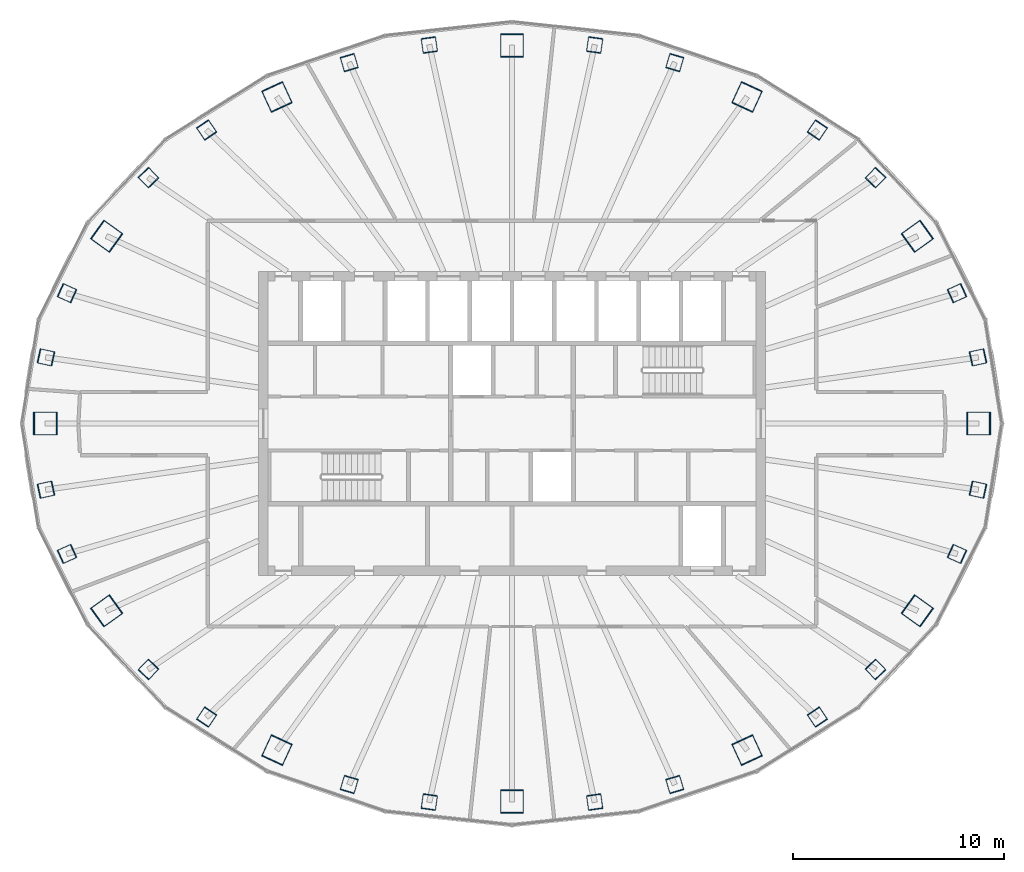
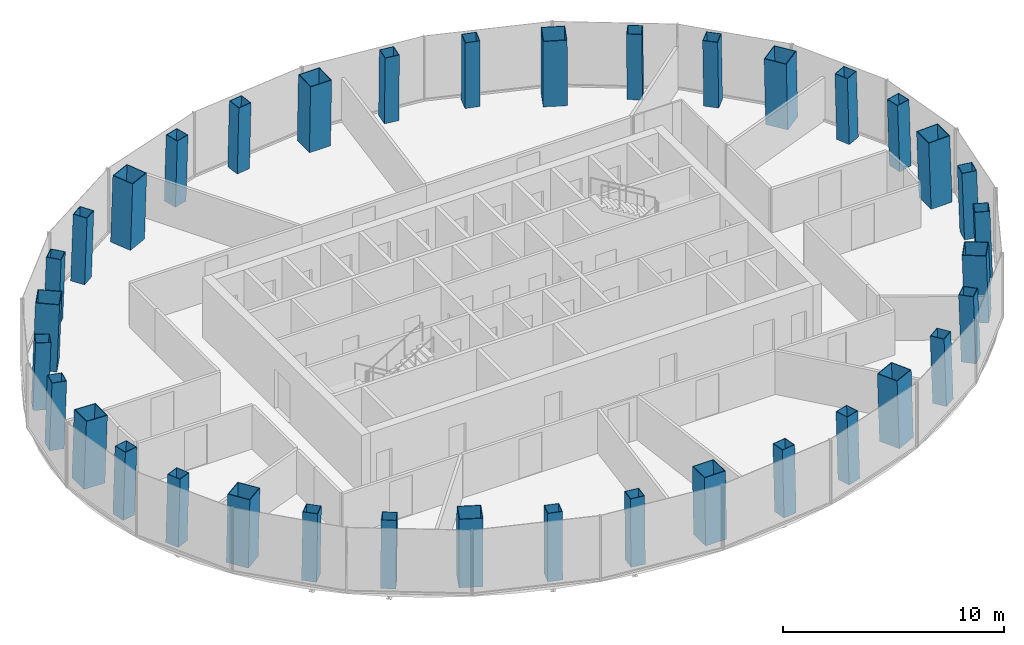
# One storey, part 1 of 11: 36 columns.
"""IFC4 building model written with IfcOpenShell, lengths in metres."""

from ifc_helpers import new_model, si_unit, direction, frame, origin, origin_2d, place, context, subcontext, project, spatial, hollow_rectangle, extrude, material, material_profile, profile_set, type_object, element, save


model = new_model("IFC4")

# Units and contexts
model_context = context("Model", 3, precision=1e-05, world=origin(), true_north=direction((0.0, 1.0)))
body_context = subcontext(model_context, "Body", "Model", "MODEL_VIEW")
ifc_project = project(units=[si_unit("LENGTHUNIT", "METRE"), si_unit("AREAUNIT", "SQUARE_METRE"), si_unit("VOLUMEUNIT", "CUBIC_METRE"), si_unit("PLANEANGLEUNIT", "RADIAN"), si_unit("MASSUNIT", "GRAM", prefix="KILO")], contexts=[model_context])

# Site, building, storey
site_placement = place(None, origin())
site = spatial("IfcSite", under=ifc_project, at=site_placement, CompositionType="ELEMENT")
building_placement = place(site_placement, origin())
building = spatial("IfcBuilding", under=site, at=building_placement, Name="Siaravel Broadcast Tower", CompositionType="ELEMENT")
storey_placement = place(building_placement, frame((0.0, 0.0, 183.0)))
storey = spatial("IfcBuildingStorey", under=building, at=storey_placement, Name="L44", CompositionType="ELEMENT", Elevation=183.0)

# Columns
ifc_material = material(Name="Concrete C60/75", Category="concrete")
ifc_material_profile_1 = material_profile(ifc_material, hollow_rectangle(XDim=1.10009765625, YDim=1.10009765625, WallThickness=0.031982421875, at=origin_2d()))
ifc_profile_set_1 = profile_set([ifc_material_profile_1], Name="Concrete C60/75")
column_type_1 = type_object("IfcColumnType", Name="COL-CFT BOX 1100x1100x32", PredefinedType="COLUMN", material=ifc_profile_set_1)
column_1_placement = place(storey_placement, frame((22.1083984375, 0.0, 0.0), z_axis=(-0.034555398, 0.0, 0.999402784), x_axis=(0.0, -1.0, 0.0)))
element("IfcColumn", 1, at=column_1_placement, inside=storey, type_object=column_type_1, Name="Megacolumn MC01", PredefinedType="COLUMN", context=body_context, shape_type="SweptSolid", body=[
    extrude(hollow_rectangle(XDim=1.10009765625, YDim=1.10009765625, WallThickness=0.031982421875, at=origin_2d()), origin(), (0.0, 0.0, 1.0), 3.7021484375),
])
column_2_placement = place(storey_placement, frame((19.2001953125, 8.87158203125, 0.0), z_axis=(-0.030006556, -0.014178922, 0.999449131), x_axis=(0.583040674, -0.812420964, 0.005979083)))
element("IfcColumn", 2, at=column_2_placement, inside=storey, type_object=column_type_1, Name="Megacolumn MC02", PredefinedType="COLUMN", context=body_context, shape_type="SweptSolid", body=[
    extrude(hollow_rectangle(XDim=1.10009765625, YDim=1.10009765625, WallThickness=0.031982421875, at=origin_2d()), origin(), (0.0, 0.0, 1.0), 3.701904296875),
])
column_3_placement = place(storey_placement, frame((11.134033203125, 15.468994140625, 0.0), z_axis=(-0.017280237, -0.024535299, 0.999549605), x_axis=(0.90830012, -0.418283813, 0.005435371)))
element("IfcColumn", 3, at=column_3_placement, inside=storey, type_object=column_type_1, Name="Megacolumn MC03", PredefinedType="COLUMN", context=body_context, shape_type="SweptSolid", body=[
    extrude(hollow_rectangle(XDim=1.10009765625, YDim=1.10009765625, WallThickness=0.031982421875, at=origin_2d()), origin(), (0.0, 0.0, 1.0), 3.70166015625),
])
column_4_placement = place(storey_placement, frame((0.0, 17.910400390625, 0.0), z_axis=(0.0, -0.02836206, 0.999597716), x_axis=(1.0, 0.0, 0.0)))
element("IfcColumn", 4, at=column_4_placement, inside=storey, type_object=column_type_1, Name="Megacolumn MC04", PredefinedType="COLUMN", context=body_context, shape_type="SweptSolid", body=[
    extrude(hollow_rectangle(XDim=1.10009765625, YDim=1.10009765625, WallThickness=0.031982421875, at=origin_2d()), origin(), (0.0, 0.0, 1.0), 3.701416015625),
])
column_5_placement = place(storey_placement, frame((-11.134033203125, 15.468994140625, 0.0), z_axis=(0.017280237, -0.024535299, 0.999549605), x_axis=(0.90830012, 0.418283813, -0.005435371)))
element("IfcColumn", 5, at=column_5_placement, inside=storey, type_object=column_type_1, Name="Megacolumn MC05", PredefinedType="COLUMN", context=body_context, shape_type="SweptSolid", body=[
    extrude(hollow_rectangle(XDim=1.10009765625, YDim=1.10009765625, WallThickness=0.031982421875, at=origin_2d()), origin(), (0.0, 0.0, 1.0), 3.70166015625),
])
column_6_placement = place(storey_placement, frame((-19.2001953125, 8.87158203125, 0.0), z_axis=(0.030006556, -0.014178922, 0.999449131), x_axis=(0.583040674, 0.812420964, -0.005979083)))
element("IfcColumn", 6, at=column_6_placement, inside=storey, type_object=column_type_1, Name="Megacolumn MC06", PredefinedType="COLUMN", context=body_context, shape_type="SweptSolid", body=[
    extrude(hollow_rectangle(XDim=1.10009765625, YDim=1.10009765625, WallThickness=0.031982421875, at=origin_2d()), origin(), (0.0, 0.0, 1.0), 3.701904296875),
])
column_7_placement = place(storey_placement, frame((-22.1083984375, 0.0, 0.0), z_axis=(0.034555398, 0.0, 0.999402784), x_axis=(0.0, 1.0, 0.0)))
element("IfcColumn", 7, at=column_7_placement, inside=storey, type_object=column_type_1, Name="Megacolumn MC07", PredefinedType="COLUMN", context=body_context, shape_type="SweptSolid", body=[
    extrude(hollow_rectangle(XDim=1.10009765625, YDim=1.10009765625, WallThickness=0.031982421875, at=origin_2d()), origin(), (0.0, 0.0, 1.0), 3.7021484375),
])
column_8_placement = place(storey_placement, frame((-19.2001953125, -8.87158203125, 0.0), z_axis=(0.030006556, 0.014178922, 0.999449131), x_axis=(-0.583040674, 0.812420964, 0.005979083)))
element("IfcColumn", 8, at=column_8_placement, inside=storey, type_object=column_type_1, Name="Megacolumn MC08", PredefinedType="COLUMN", context=body_context, shape_type="SweptSolid", body=[
    extrude(hollow_rectangle(XDim=1.10009765625, YDim=1.10009765625, WallThickness=0.031982421875, at=origin_2d()), origin(), (0.0, 0.0, 1.0), 3.701904296875),
])
column_9_placement = place(storey_placement, frame((-11.134033203125, -15.468994140625, 0.0), z_axis=(0.017280237, 0.024535299, 0.999549605), x_axis=(-0.90830012, 0.418283813, 0.005435371)))
element("IfcColumn", 9, at=column_9_placement, inside=storey, type_object=column_type_1, Name="Megacolumn MC09", PredefinedType="COLUMN", context=body_context, shape_type="SweptSolid", body=[
    extrude(hollow_rectangle(XDim=1.10009765625, YDim=1.10009765625, WallThickness=0.031982421875, at=origin_2d()), origin(), (0.0, 0.0, 1.0), 3.70166015625),
])
column_10_placement = place(storey_placement, frame((0.0, -17.910400390625, 0.0), z_axis=(0.0, 0.02836206, 0.999597716), x_axis=(-1.0, 0.0, 0.0)))
element("IfcColumn", 10, at=column_10_placement, inside=storey, type_object=column_type_1, Name="Megacolumn MC10", PredefinedType="COLUMN", context=body_context, shape_type="SweptSolid", body=[
    extrude(hollow_rectangle(XDim=1.10009765625, YDim=1.10009765625, WallThickness=0.031982421875, at=origin_2d()), origin(), (0.0, 0.0, 1.0), 3.701416015625),
])
column_11_placement = place(storey_placement, frame((11.134033203125, -15.468994140625, 0.0), z_axis=(-0.017280237, 0.024535299, 0.999549605), x_axis=(-0.90830012, -0.418283813, -0.005435371)))
element("IfcColumn", 11, at=column_11_placement, inside=storey, type_object=column_type_1, Name="Megacolumn MC11", PredefinedType="COLUMN", context=body_context, shape_type="SweptSolid", body=[
    extrude(hollow_rectangle(XDim=1.10009765625, YDim=1.10009765625, WallThickness=0.031982421875, at=origin_2d()), origin(), (0.0, 0.0, 1.0), 3.70166015625),
])
column_12_placement = place(storey_placement, frame((19.2001953125, -8.87158203125, 0.0), z_axis=(-0.030006556, 0.014178922, 0.999449131), x_axis=(-0.583040674, -0.812420964, -0.005979083)))
element("IfcColumn", 12, at=column_12_placement, inside=storey, type_object=column_type_1, Name="Megacolumn MC12", PredefinedType="COLUMN", context=body_context, shape_type="SweptSolid", body=[
    extrude(hollow_rectangle(XDim=1.10009765625, YDim=1.10009765625, WallThickness=0.031982421875, at=origin_2d()), origin(), (0.0, 0.0, 1.0), 3.701904296875),
])
ifc_material_profile_2 = material_profile(ifc_material, hollow_rectangle(XDim=0.699951171875, YDim=0.699951171875, WallThickness=0.02490234375, at=origin_2d()))
ifc_profile_set_2 = profile_set([ifc_material_profile_2], Name="Concrete C60/75")
column_type_2 = type_object("IfcColumnType", Name="COL-CFT BOX 700x700x25", PredefinedType="COLUMN", material=ifc_profile_set_2)
for number, where, z_axis, x_axis, name in (
    (13, (22.07373046875, 3.1328125, 0.0), (-0.034028034, -0.004945935, 0.99940864), (0.21368729, -0.976899065, 0.002441123), "Perimeter column C01"),
    (14, (21.077880859375, 6.177001953125, 0.0), (-0.032511791, -0.009694185, 0.999424337), (0.410283377, -0.911946978, 0.004501056), "Perimeter column C02"),
):
    element("IfcColumn", number, at=place(storey_placement, frame(where, z_axis=z_axis, x_axis=x_axis)), inside=storey, type_object=column_type_2, Name=name, PredefinedType="COLUMN", context=body_context, shape_type="SweptSolid", body=[
        extrude(hollow_rectangle(XDim=0.699951171875, YDim=0.699951171875, WallThickness=0.02490234375, at=origin_2d()), origin(), (0.0, 0.0, 1.0), 3.7021484375),
    ])
column_13_placement = place(storey_placement, frame((17.219970703125, 11.647216796875, 0.0), z_axis=(-0.026512147, -0.01826832, 0.999481553), x_axis=(0.72150473, -0.692379152, 0.006483397)))
element("IfcColumn", 15, at=column_13_placement, inside=storey, type_object=column_type_2, Name="Perimeter column C03", PredefinedType="COLUMN", context=body_context, shape_type="SweptSolid", body=[
    extrude(hollow_rectangle(XDim=0.699951171875, YDim=0.699951171875, WallThickness=0.02490234375, at=origin_2d()), origin(), (0.0, 0.0, 1.0), 3.701904296875),
])
column_14_placement = place(storey_placement, frame((14.465087890625, 13.903564453125, 0.0), z_axis=(-0.022226156, -0.021698532, 0.999517469), x_axis=(0.828428784, -0.560059391, 0.006263343)))
element("IfcColumn", 16, at=column_14_placement, inside=storey, type_object=column_type_2, Name="Perimeter column C04", PredefinedType="COLUMN", context=body_context, shape_type="SweptSolid", body=[
    extrude(hollow_rectangle(XDim=0.699951171875, YDim=0.699951171875, WallThickness=0.02490234375, at=origin_2d()), origin(), (0.0, 0.0, 1.0), 3.70166015625),
])
for number, where, z_axis, x_axis, name in (
    (17, (7.709228515625, 17.097412109375, 0.0), (-0.011872213, -0.026646524, 0.999574416), (0.959560942, -0.281474047, 0.003893464), "Perimeter column C05"),
    (18, (3.915771484375, 17.9296875, 0.0), (-0.006002173, -0.027900212, 0.999592693), (0.990164538, -0.139892892, 0.002040929), "Perimeter column C06"),
    (19, (-3.915771484375, 17.9296875, 0.0), (0.006002173, -0.027900212, 0.999592693), (0.990164538, 0.139892892, -0.002040929), "Perimeter column C07"),
    (20, (-7.709228515625, 17.097412109375, 0.0), (0.011872213, -0.026646524, 0.999574416), (0.959560942, 0.281474047, -0.003893464), "Perimeter column C08"),
):
    element("IfcColumn", number, at=place(storey_placement, frame(where, z_axis=z_axis, x_axis=x_axis)), inside=storey, type_object=column_type_2, Name=name, PredefinedType="COLUMN", context=body_context, shape_type="SweptSolid", body=[
        extrude(hollow_rectangle(XDim=0.699951171875, YDim=0.699951171875, WallThickness=0.02490234375, at=origin_2d()), origin(), (0.0, 0.0, 1.0), 3.701416015625),
    ])
column_15_placement = place(storey_placement, frame((-14.465087890625, 13.903564453125, 0.0), z_axis=(0.022226156, -0.021698532, 0.999517469), x_axis=(0.828428784, 0.560059391, -0.006263343)))
element("IfcColumn", 21, at=column_15_placement, inside=storey, type_object=column_type_2, Name="Perimeter column C09", PredefinedType="COLUMN", context=body_context, shape_type="SweptSolid", body=[
    extrude(hollow_rectangle(XDim=0.699951171875, YDim=0.699951171875, WallThickness=0.02490234375, at=origin_2d()), origin(), (0.0, 0.0, 1.0), 3.70166015625),
])
column_16_placement = place(storey_placement, frame((-17.219970703125, 11.647216796875, 0.0), z_axis=(0.026512147, -0.01826832, 0.999481553), x_axis=(0.72150473, 0.692379152, -0.006483397)))
element("IfcColumn", 22, at=column_16_placement, inside=storey, type_object=column_type_2, Name="Perimeter column C10", PredefinedType="COLUMN", context=body_context, shape_type="SweptSolid", body=[
    extrude(hollow_rectangle(XDim=0.699951171875, YDim=0.699951171875, WallThickness=0.02490234375, at=origin_2d()), origin(), (0.0, 0.0, 1.0), 3.701904296875),
])
for number, where, z_axis, x_axis, name in (
    (23, (-21.077880859375, 6.177001953125, 0.0), (0.032511791, -0.009694185, 0.999424337), (0.410283377, 0.911946978, -0.004501056), "Perimeter column C11"),
    (24, (-22.07373046875, 3.1328125, 0.0), (0.034028034, -0.004945935, 0.99940864), (0.21368729, 0.976899065, -0.002441123), "Perimeter column C12"),
    (25, (-22.07373046875, -3.1328125, 0.0), (0.034028034, 0.004945935, 0.99940864), (-0.21368729, 0.976899065, 0.002441123), "Perimeter column C13"),
    (26, (-21.077880859375, -6.177001953125, 0.0), (0.032511791, 0.009694185, 0.999424337), (-0.410283377, 0.911946978, 0.004501056), "Perimeter column C14"),
):
    element("IfcColumn", number, at=place(storey_placement, frame(where, z_axis=z_axis, x_axis=x_axis)), inside=storey, type_object=column_type_2, Name=name, PredefinedType="COLUMN", context=body_context, shape_type="SweptSolid", body=[
        extrude(hollow_rectangle(XDim=0.699951171875, YDim=0.699951171875, WallThickness=0.02490234375, at=origin_2d()), origin(), (0.0, 0.0, 1.0), 3.7021484375),
    ])
column_17_placement = place(storey_placement, frame((-17.219970703125, -11.647216796875, 0.0), z_axis=(0.026512147, 0.01826832, 0.999481553), x_axis=(-0.72150473, 0.692379152, 0.006483397)))
element("IfcColumn", 27, at=column_17_placement, inside=storey, type_object=column_type_2, Name="Perimeter column C15", PredefinedType="COLUMN", context=body_context, shape_type="SweptSolid", body=[
    extrude(hollow_rectangle(XDim=0.699951171875, YDim=0.699951171875, WallThickness=0.02490234375, at=origin_2d()), origin(), (0.0, 0.0, 1.0), 3.701904296875),
])
column_18_placement = place(storey_placement, frame((-14.465087890625, -13.903564453125, 0.0), z_axis=(0.022226156, 0.021698532, 0.999517469), x_axis=(-0.828428784, 0.560059391, 0.006263343)))
element("IfcColumn", 28, at=column_18_placement, inside=storey, type_object=column_type_2, Name="Perimeter column C16", PredefinedType="COLUMN", context=body_context, shape_type="SweptSolid", body=[
    extrude(hollow_rectangle(XDim=0.699951171875, YDim=0.699951171875, WallThickness=0.02490234375, at=origin_2d()), origin(), (0.0, 0.0, 1.0), 3.70166015625),
])
for number, where, z_axis, x_axis, name in (
    (29, (-7.709228515625, -17.097412109375, 0.0), (0.011872213, 0.026646524, 0.999574416), (-0.959560942, 0.281474047, 0.003893464), "Perimeter column C17"),
    (30, (-3.915771484375, -17.9296875, 0.0), (0.006002173, 0.027900212, 0.999592693), (-0.990164538, 0.139892892, 0.002040929), "Perimeter column C18"),
    (31, (3.915771484375, -17.9296875, 0.0), (-0.006002173, 0.027900212, 0.999592693), (-0.990164538, -0.139892892, -0.002040929), "Perimeter column C19"),
    (32, (7.709228515625, -17.097412109375, 0.0), (-0.011872213, 0.026646524, 0.999574416), (-0.959560942, -0.281474047, -0.003893464), "Perimeter column C20"),
):
    element("IfcColumn", number, at=place(storey_placement, frame(where, z_axis=z_axis, x_axis=x_axis)), inside=storey, type_object=column_type_2, Name=name, PredefinedType="COLUMN", context=body_context, shape_type="SweptSolid", body=[
        extrude(hollow_rectangle(XDim=0.699951171875, YDim=0.699951171875, WallThickness=0.02490234375, at=origin_2d()), origin(), (0.0, 0.0, 1.0), 3.701416015625),
    ])
column_19_placement = place(storey_placement, frame((14.465087890625, -13.903564453125, 0.0), z_axis=(-0.022226156, 0.021698532, 0.999517469), x_axis=(-0.828428784, -0.560059391, -0.006263343)))
element("IfcColumn", 33, at=column_19_placement, inside=storey, type_object=column_type_2, Name="Perimeter column C21", PredefinedType="COLUMN", context=body_context, shape_type="SweptSolid", body=[
    extrude(hollow_rectangle(XDim=0.699951171875, YDim=0.699951171875, WallThickness=0.02490234375, at=origin_2d()), origin(), (0.0, 0.0, 1.0), 3.70166015625),
])
column_20_placement = place(storey_placement, frame((17.219970703125, -11.647216796875, 0.0), z_axis=(-0.026512147, 0.01826832, 0.999481553), x_axis=(-0.72150473, -0.692379152, -0.006483397)))
element("IfcColumn", 34, at=column_20_placement, inside=storey, type_object=column_type_2, Name="Perimeter column C22", PredefinedType="COLUMN", context=body_context, shape_type="SweptSolid", body=[
    extrude(hollow_rectangle(XDim=0.699951171875, YDim=0.699951171875, WallThickness=0.02490234375, at=origin_2d()), origin(), (0.0, 0.0, 1.0), 3.701904296875),
])
for number, where, z_axis, x_axis, name in (
    (35, (21.077880859375, -6.177001953125, 0.0), (-0.032511791, 0.009694185, 0.999424337), (-0.410283377, -0.911946978, -0.004501056), "Perimeter column C23"),
    (36, (22.07373046875, -3.1328125, 0.0), (-0.034028034, 0.004945935, 0.99940864), (-0.21368729, -0.976899065, -0.002441123), "Perimeter column C24"),
):
    element("IfcColumn", number, at=place(storey_placement, frame(where, z_axis=z_axis, x_axis=x_axis)), inside=storey, type_object=column_type_2, Name=name, PredefinedType="COLUMN", context=body_context, shape_type="SweptSolid", body=[
        extrude(hollow_rectangle(XDim=0.699951171875, YDim=0.699951171875, WallThickness=0.02490234375, at=origin_2d()), origin(), (0.0, 0.0, 1.0), 3.7021484375),
    ])

save(model, "model.ifc")
